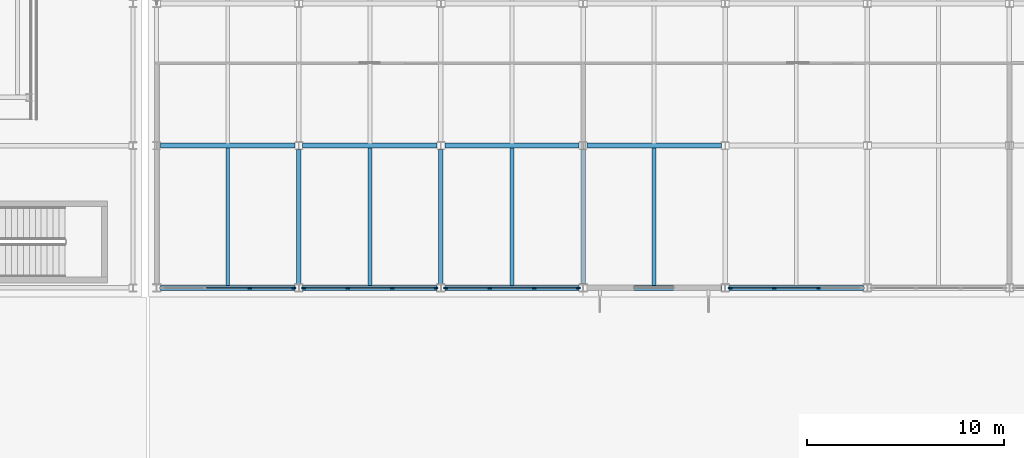
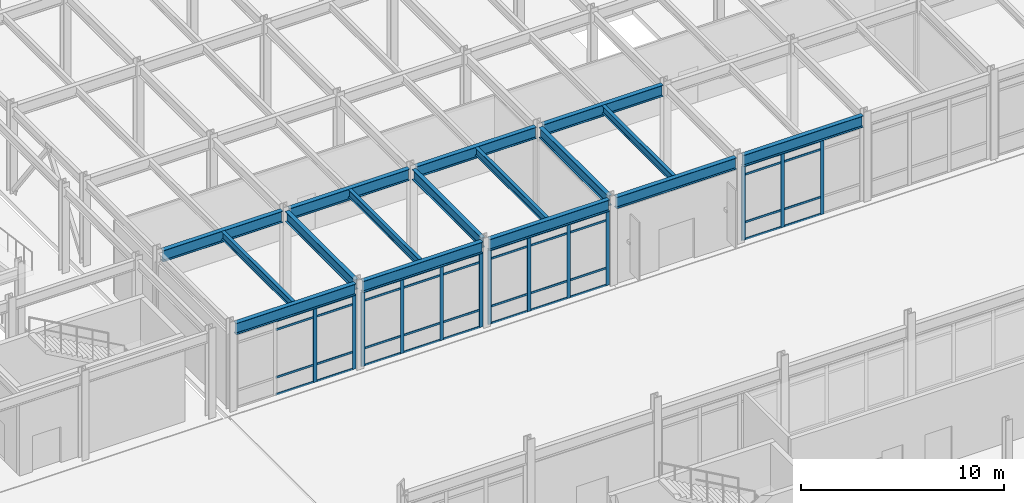
# One storey, part 29 of 104: 53 members, 16 beams, 4 elements without a shape of their own.
"""IFC4 building model written with IfcOpenShell, lengths in metres."""

from ifc_helpers import new_model, si_unit, direction, frame, origin, origin_2d, place, context, subcontext, project, spatial, rectangle, i_section, extrude, material, material_profile, profile_set, type_object, element, aggregate, save


model = new_model("IFC4")

# Units and contexts
model_context = context("Model", 3, precision=1e-05, world=origin(), true_north=direction((0.0, 1.0)))
body_context = subcontext(model_context, "Body", "Model", "MODEL_VIEW")
ifc_project = project(units=[si_unit("LENGTHUNIT", "METRE"), si_unit("AREAUNIT", "SQUARE_METRE"), si_unit("VOLUMEUNIT", "CUBIC_METRE"), si_unit("PLANEANGLEUNIT", "RADIAN"), si_unit("MASSUNIT", "GRAM", prefix="KILO")], contexts=[model_context])

# Site, building, storey
site_placement = place(None, origin())
site = spatial("IfcSite", under=ifc_project, at=site_placement, CompositionType="ELEMENT")
building_placement = place(site_placement, origin())
building = spatial("IfcBuilding", under=site, at=building_placement, Name="Vaelcorin Mobility Hub", CompositionType="ELEMENT")
storey_placement = place(building_placement, origin())
storey = spatial("IfcBuildingStorey", under=building, at=storey_placement, Name="L00", CompositionType="ELEMENT", Elevation=0.0)

# Beams
ifc_material_1 = material(Name="Steel ASTM A992 Grade 50", Category="steel")
ifc_material_profile_1 = material_profile(ifc_material_1, i_section(OverallWidth=0.19091796875, OverallDepth=0.4599609375, WebThickness=0.010009765625, FlangeThickness=0.01611328125, FilletRadius=0.012939453125, at=origin_2d()), Name="W18X55")
ifc_profile_set_1 = profile_set([ifc_material_profile_1], Name="Steel ASTM A992 Grade 50")
beam_type_1 = type_object("IfcBeamType", Name="BM-W18X55", PredefinedType="JOIST", material=ifc_profile_set_1)
for number, where, z_axis, x_axis, name in (
    (1, (39.60009765625, 76.925048828125, 4.929931640625), (0.0, 1.0, 0.0), (-1.0, 0.0, 0.0), "L00 Beam V4-L00-J-01-01-1"),
    (2, (46.800048828125, 76.925048828125, 4.929931640625), (0.0, 1.0, 0.0), (-1.0, 0.0, 0.0), "L00 Beam V4-L00-J-02-01-1"),
    (3, (54.0, 76.925048828125, 4.929931640625), (0.0, 1.0, 0.0), (-1.0, 0.0, 0.0), "L00 Beam V4-L00-J-03-01-1"),
    (4, (61.199951171875, 76.925048828125, 4.929931640625), (0.0, 1.0, 0.0), (-1.0, 0.0, 0.0), "L00 Beam V4-L00-J-04-01-1"),
):
    element("IfcBeam", number, at=place(storey_placement, frame(where, z_axis=z_axis, x_axis=x_axis)), inside=storey, type_object=beam_type_1, Name=name, PredefinedType="JOIST", context=body_context, shape_type="SweptSolid", body=[
        extrude(i_section(OverallWidth=0.19091796875, OverallDepth=0.4599609375, WebThickness=0.010009765625, FlangeThickness=0.01611328125, FilletRadius=0.012939453125, at=origin_2d()), origin(), (0.0, 0.0, 1.0), 6.949951171875),
    ])
ifc_material_profile_2 = material_profile(ifc_material_1, i_section(OverallWidth=0.22900390625, OverallDepth=0.612060546875, WebThickness=0.011962890625, FlangeThickness=0.01953125, FilletRadius=0.014892578125, at=origin_2d()), Name="W24X84")
ifc_profile_set_2 = profile_set([ifc_material_profile_2], Name="Steel ASTM A992 Grade 50")
beam_type_2 = type_object("IfcBeamType", Name="BM-W24X84", PredefinedType="BEAM", material=ifc_profile_set_2)
for number, where, z_axis, x_axis, name in (
    (5, (43.199951171875, 76.9951171875, 4.85400390625), (0.0, 1.0, 0.0), (-1.0, 0.0, 0.0), "L00 Beam V4-L00-GY-02-01"),
    (6, (50.39990234375, 76.9951171875, 4.85400390625), (0.0, 1.0, 0.0), (-1.0, 0.0, 0.0), "L00 Beam V4-L00-GY-03-01"),
    (7, (57.60009765625, 76.9951171875, 4.85400390625), (0.0, 1.0, 0.0), (-1.0, 0.0, 0.0), "L00 Beam V4-L00-GY-04-01"),
):
    element("IfcBeam", number, at=place(storey_placement, frame(where, z_axis=z_axis, x_axis=x_axis)), inside=storey, type_object=beam_type_2, Name=name, PredefinedType="BEAM", context=body_context, shape_type="SweptSolid", body=[
        extrude(i_section(OverallWidth=0.22900390625, OverallDepth=0.612060546875, WebThickness=0.011962890625, FlangeThickness=0.01953125, FilletRadius=0.014892578125, at=origin_2d()), origin(), (0.0, 0.0, 1.0), 6.803955078125),
    ])
ifc_material_profile_3 = material_profile(ifc_material_1, i_section(OverallWidth=0.25390625, OverallDepth=0.68310546875, WebThickness=0.012451171875, FlangeThickness=0.018798828125, FilletRadius=0.01611328125, at=origin_2d()), Name="W27X94")
ifc_profile_set_3 = profile_set([ifc_material_profile_3], Name="Steel ASTM A992 Grade 50")
beam_type_3 = type_object("IfcBeamType", Name="BM-W27X94", PredefinedType="BEAM", material=ifc_profile_set_3)
beam_1_placement = place(storey_placement, frame((36.197998046875, 76.800048828125, 4.818115234375), z_axis=(1.0, 0.0, 0.0), x_axis=(0.0, 1.0, 0.0)))
element("IfcBeam", 8, at=beam_1_placement, inside=storey, type_object=beam_type_3, Name="L00 Beam V4-L00-GX-01-01", PredefinedType="BEAM", context=body_context, shape_type="SweptSolid", body=[
    extrude(i_section(OverallWidth=0.25390625, OverallDepth=0.68310546875, WebThickness=0.012451171875, FlangeThickness=0.018798828125, FilletRadius=0.01611328125, at=origin_2d()), origin(), (0.0, 0.0, 1.0), 6.804931640625),
])
beam_2_placement = place(storey_placement, frame((43.39794921875, 76.800048828125, 4.818115234375), z_axis=(1.0, 0.0, 0.0), x_axis=(0.0, 1.0, 0.0)))
element("IfcBeam", 9, at=beam_2_placement, inside=storey, type_object=beam_type_3, Name="L00 Beam V4-L00-GX-01-02", PredefinedType="BEAM", context=body_context, shape_type="SweptSolid", body=[
    extrude(i_section(OverallWidth=0.25390625, OverallDepth=0.68310546875, WebThickness=0.012451171875, FlangeThickness=0.018798828125, FilletRadius=0.01611328125, at=origin_2d()), origin(), (0.0, 0.0, 1.0), 6.803955078125),
])
beam_3_placement = place(storey_placement, frame((50.597900390625, 76.800048828125, 4.818115234375), z_axis=(1.0, 0.0, 0.0), x_axis=(0.0, 1.0, 0.0)))
element("IfcBeam", 10, at=beam_3_placement, inside=storey, type_object=beam_type_3, Name="L00 Beam V4-L00-GX-01-03", PredefinedType="BEAM", context=body_context, shape_type="SweptSolid", body=[
    extrude(i_section(OverallWidth=0.25390625, OverallDepth=0.68310546875, WebThickness=0.012451171875, FlangeThickness=0.018798828125, FilletRadius=0.01611328125, at=origin_2d()), origin(), (0.0, 0.0, 1.0), 6.80419921875),
])
for number, where, z_axis, x_axis, name in (
    (11, (57.798095703125, 76.800048828125, 4.818115234375), (1.0, 0.0, 0.0), (0.0, 1.0, 0.0), "L00 Beam V4-L00-GX-01-04"),
    (12, (64.998046875, 76.800048828125, 4.818115234375), (1.0, 0.0, 0.0), (0.0, 1.0, 0.0), "L00 Beam V4-L00-GX-01-05"),
):
    element("IfcBeam", number, at=place(storey_placement, frame(where, z_axis=z_axis, x_axis=x_axis)), inside=storey, type_object=beam_type_3, Name=name, PredefinedType="BEAM", context=body_context, shape_type="SweptSolid", body=[
        extrude(i_section(OverallWidth=0.25390625, OverallDepth=0.68310546875, WebThickness=0.012451171875, FlangeThickness=0.018798828125, FilletRadius=0.01611328125, at=origin_2d()), origin(), (0.0, 0.0, 1.0), 6.803955078125),
    ])
for number, where, z_axis, x_axis, name in (
    (13, (36.199951171875, 84.0, 4.818115234375), (1.0, 0.0, 0.0), (0.0, 1.0, 0.0), "L00 Beam V4-L00-GX-02-01"),
    (14, (43.39990234375, 84.0, 4.818115234375), (1.0, 0.0, 0.0), (0.0, 1.0, 0.0), "L00 Beam V4-L00-GX-02-02"),
):
    element("IfcBeam", number, at=place(storey_placement, frame(where, z_axis=z_axis, x_axis=x_axis)), inside=storey, type_object=beam_type_3, Name=name, PredefinedType="BEAM", context=body_context, shape_type="SweptSolid", body=[
        extrude(i_section(OverallWidth=0.25390625, OverallDepth=0.68310546875, WebThickness=0.012451171875, FlangeThickness=0.018798828125, FilletRadius=0.01611328125, at=origin_2d()), origin(), (0.0, 0.0, 1.0), 6.800048828125),
    ])
beam_4_placement = place(storey_placement, frame((50.60009765625, 84.0, 4.818115234375), z_axis=(1.0, 0.0, 0.0), x_axis=(0.0, 1.0, 0.0)))
element("IfcBeam", 15, at=beam_4_placement, inside=storey, type_object=beam_type_3, Name="L00 Beam V4-L00-GX-02-03", PredefinedType="BEAM", context=body_context, shape_type="SweptSolid", body=[
    extrude(i_section(OverallWidth=0.25390625, OverallDepth=0.68310546875, WebThickness=0.012451171875, FlangeThickness=0.018798828125, FilletRadius=0.01611328125, at=origin_2d()), origin(), (0.0, 0.0, 1.0), 6.7998046875),
])
beam_5_placement = place(storey_placement, frame((57.800048828125, 84.0, 4.818115234375), z_axis=(1.0, 0.0, 0.0), x_axis=(0.0, 1.0, 0.0)))
element("IfcBeam", 16, at=beam_5_placement, inside=storey, type_object=beam_type_3, Name="L00 Beam V4-L00-GX-02-04", PredefinedType="BEAM", context=body_context, shape_type="SweptSolid", body=[
    extrude(i_section(OverallWidth=0.25390625, OverallDepth=0.68310546875, WebThickness=0.012451171875, FlangeThickness=0.018798828125, FilletRadius=0.01611328125, at=origin_2d()), origin(), (0.0, 0.0, 1.0), 6.800048828125),
])

# Curtain wall, members
ifc_material_2 = material(Name="Anodised aluminium 6063-T6", Category="aluminium")
curtain_wall_type = type_object("IfcCurtainWallType", Name="CW-MSC-A", PredefinedType="NOTDEFINED", material=ifc_material_2)
curtain_wall_1_placement = place(storey_placement, origin())
curtain_wall_1 = element("IfcCurtainWall", 17, at=curtain_wall_1_placement, inside=storey, type_object=curtain_wall_type, Name="L00 Curtain Wall CW-V4-L00-S-01", PredefinedType="NOTDEFINED")
ifc_material_profile_4 = material_profile(ifc_material_2, rectangle(XDim=0.070068359375, YDim=0.199951171875, at=origin_2d()), Name="ALU-M70X200")
ifc_profile_set_4 = profile_set([ifc_material_profile_4], Name="Anodised aluminium 6063-T6")
member_type_1 = type_object("IfcMemberType", Name="CW-MULL-200", PredefinedType="MULLION", material=ifc_profile_set_4)
member_1_placement = place(storey_placement, frame((42.949951171875, 76.800048828125, 0.0), z_axis=(0.0, 0.0, 1.0), x_axis=(0.0, -1.0, 0.0)))
member_1 = element("IfcMember", 18, at=member_1_placement, type_object=member_type_1, Name="CW3 mullion 1", PredefinedType="MULLION", context=body_context, shape_type="SweptSolid", body=[
    extrude(rectangle(XDim=0.070068359375, YDim=0.199951171875, at=origin_2d()), origin(), (0.0, 0.0, 1.0), 4.4619140625),
])
member_2_placement = place(storey_placement, frame((40.7265625, 76.800048828125, 0.0), z_axis=(0.0, 0.0, 1.0), x_axis=(0.0, -1.0, 0.0)))
member_2 = element("IfcMember", 19, at=member_2_placement, type_object=member_type_1, Name="CW3 mullion 2", PredefinedType="MULLION", context=body_context, shape_type="SweptSolid", body=[
    extrude(rectangle(XDim=0.070068359375, YDim=0.199951171875, at=origin_2d()), origin(), (0.0, 0.0, 1.0), 4.4619140625),
])

curtain_wall_2_placement = place(storey_placement, origin())
curtain_wall_2 = element("IfcCurtainWall", 20, at=curtain_wall_2_placement, inside=storey, type_object=curtain_wall_type, Name="L00 Curtain Wall CW-V4-L00-S-02", PredefinedType="NOTDEFINED")
member_3_placement = place(storey_placement, frame((50.14990234375, 76.800048828125, 0.0), z_axis=(0.0, 0.0, 1.0), x_axis=(0.0, -1.0, 0.0)))
member_3 = element("IfcMember", 21, at=member_3_placement, type_object=member_type_1, Name="CW3 mullion 1", PredefinedType="MULLION", context=body_context, shape_type="SweptSolid", body=[
    extrude(rectangle(XDim=0.070068359375, YDim=0.199951171875, at=origin_2d()), origin(), (0.0, 0.0, 1.0), 4.4619140625),
])
member_4_placement = place(storey_placement, frame((47.9267578125, 76.800048828125, 0.0), z_axis=(0.0, 0.0, 1.0), x_axis=(0.0, -1.0, 0.0)))
member_4 = element("IfcMember", 22, at=member_4_placement, type_object=member_type_1, Name="CW3 mullion 2", PredefinedType="MULLION", context=body_context, shape_type="SweptSolid", body=[
    extrude(rectangle(XDim=0.070068359375, YDim=0.199951171875, at=origin_2d()), origin(), (0.0, 0.0, 1.0), 4.4619140625),
])
member_5_placement = place(storey_placement, frame((45.67333984375, 76.800048828125, 0.0), z_axis=(0.0, 0.0, 1.0), x_axis=(0.0, -1.0, 0.0)))
member_5 = element("IfcMember", 23, at=member_5_placement, type_object=member_type_1, Name="CW3 mullion 3", PredefinedType="MULLION", context=body_context, shape_type="SweptSolid", body=[
    extrude(rectangle(XDim=0.070068359375, YDim=0.199951171875, at=origin_2d()), origin(), (0.0, 0.0, 1.0), 4.4619140625),
])
member_6_placement = place(storey_placement, frame((43.449951171875, 76.800048828125, 0.0), z_axis=(0.0, 0.0, 1.0), x_axis=(0.0, -1.0, 0.0)))
member_6 = element("IfcMember", 24, at=member_6_placement, type_object=member_type_1, Name="CW3 mullion 4", PredefinedType="MULLION", context=body_context, shape_type="SweptSolid", body=[
    extrude(rectangle(XDim=0.070068359375, YDim=0.199951171875, at=origin_2d()), origin(), (0.0, 0.0, 1.0), 4.4619140625),
])

curtain_wall_3_placement = place(storey_placement, origin())
curtain_wall_3 = element("IfcCurtainWall", 25, at=curtain_wall_3_placement, inside=storey, type_object=curtain_wall_type, Name="L00 Curtain Wall CW-V4-L00-S-03", PredefinedType="NOTDEFINED")
member_7_placement = place(storey_placement, frame((57.35009765625, 76.800048828125, 0.0), z_axis=(0.0, 0.0, 1.0), x_axis=(0.0, -1.0, 0.0)))
member_7 = element("IfcMember", 26, at=member_7_placement, type_object=member_type_1, Name="CW3 mullion 1", PredefinedType="MULLION", context=body_context, shape_type="SweptSolid", body=[
    extrude(rectangle(XDim=0.070068359375, YDim=0.199951171875, at=origin_2d()), origin(), (0.0, 0.0, 1.0), 4.4619140625),
])
member_8_placement = place(storey_placement, frame((55.126708984375, 76.800048828125, 0.0), z_axis=(0.0, 0.0, 1.0), x_axis=(0.0, -1.0, 0.0)))
member_8 = element("IfcMember", 27, at=member_8_placement, type_object=member_type_1, Name="CW3 mullion 2", PredefinedType="MULLION", context=body_context, shape_type="SweptSolid", body=[
    extrude(rectangle(XDim=0.070068359375, YDim=0.199951171875, at=origin_2d()), origin(), (0.0, 0.0, 1.0), 4.4619140625),
])
member_9_placement = place(storey_placement, frame((52.873291015625, 76.800048828125, 0.0), z_axis=(0.0, 0.0, 1.0), x_axis=(0.0, -1.0, 0.0)))
member_9 = element("IfcMember", 28, at=member_9_placement, type_object=member_type_1, Name="CW3 mullion 3", PredefinedType="MULLION", context=body_context, shape_type="SweptSolid", body=[
    extrude(rectangle(XDim=0.070068359375, YDim=0.199951171875, at=origin_2d()), origin(), (0.0, 0.0, 1.0), 4.4619140625),
])
member_10_placement = place(storey_placement, frame((50.64990234375, 76.800048828125, 0.0), z_axis=(0.0, 0.0, 1.0), x_axis=(0.0, -1.0, 0.0)))
member_10 = element("IfcMember", 29, at=member_10_placement, type_object=member_type_1, Name="CW3 mullion 4", PredefinedType="MULLION", context=body_context, shape_type="SweptSolid", body=[
    extrude(rectangle(XDim=0.070068359375, YDim=0.199951171875, at=origin_2d()), origin(), (0.0, 0.0, 1.0), 4.4619140625),
])

curtain_wall_4_placement = place(storey_placement, origin())
curtain_wall_4 = element("IfcCurtainWall", 30, at=curtain_wall_4_placement, inside=storey, type_object=curtain_wall_type, Name="L00 Curtain Wall CW-V4-L00-S-05", PredefinedType="NOTDEFINED")
member_11_placement = place(storey_placement, frame((69.526611328125, 76.800048828125, 0.0), z_axis=(0.0, 0.0, 1.0), x_axis=(0.0, -1.0, 0.0)))
member_11 = element("IfcMember", 31, at=member_11_placement, type_object=member_type_1, Name="CW3 mullion 2", PredefinedType="MULLION", context=body_context, shape_type="SweptSolid", body=[
    extrude(rectangle(XDim=0.070068359375, YDim=0.199951171875, at=origin_2d()), origin(), (0.0, 0.0, 1.0), 4.4619140625),
])
member_12_placement = place(storey_placement, frame((67.2734375, 76.800048828125, 0.0), z_axis=(0.0, 0.0, 1.0), x_axis=(0.0, -1.0, 0.0)))
member_12 = element("IfcMember", 32, at=member_12_placement, type_object=member_type_1, Name="CW3 mullion 3", PredefinedType="MULLION", context=body_context, shape_type="SweptSolid", body=[
    extrude(rectangle(XDim=0.070068359375, YDim=0.199951171875, at=origin_2d()), origin(), (0.0, 0.0, 1.0), 4.4619140625),
])
member_13_placement = place(storey_placement, frame((65.050048828125, 76.800048828125, 0.0), z_axis=(0.0, 0.0, 1.0), x_axis=(0.0, -1.0, 0.0)))
member_13 = element("IfcMember", 33, at=member_13_placement, type_object=member_type_1, Name="CW3 mullion 4", PredefinedType="MULLION", context=body_context, shape_type="SweptSolid", body=[
    extrude(rectangle(XDim=0.070068359375, YDim=0.199951171875, at=origin_2d()), origin(), (0.0, 0.0, 1.0), 4.4619140625),
])

# Member
ifc_material_profile_5 = material_profile(ifc_material_2, rectangle(XDim=0.06005859375, YDim=0.1201171875, at=origin_2d()), Name="ALU-T60X120")
ifc_profile_set_5 = profile_set([ifc_material_profile_5], Name="Anodised aluminium 6063-T6")
member_type_2 = type_object("IfcMemberType", Name="CW-TRAN-140", PredefinedType="USERDEFINED", material=ifc_profile_set_5)
member_14_placement = place(storey_placement, frame((42.919921875, 76.800048828125, 0.030029296875), z_axis=(-1.0, 0.0, 0.0), x_axis=(0.0, -1.0, 0.0)))
member_14 = element("IfcMember", 34, at=member_14_placement, type_object=member_type_2, Name="CW3 transom 1.1", ObjectType="TRANSOM", PredefinedType="USERDEFINED", context=body_context, shape_type="SweptSolid", body=[
    extrude(rectangle(XDim=0.06005859375, YDim=0.1201171875, at=origin_2d()), origin(), (0.0, 0.0, 1.0), 2.163330078125),
])

member_15_placement = place(storey_placement, frame((42.919921875, 76.800048828125, 1.050048828125), z_axis=(-1.0, 0.0, 0.0), x_axis=(0.0, -1.0, 0.0)))
member_15 = element("IfcMember", 35, at=member_15_placement, type_object=member_type_2, Name="CW3 transom 1.2", ObjectType="TRANSOM", PredefinedType="USERDEFINED", context=body_context, shape_type="SweptSolid", body=[
    extrude(rectangle(XDim=0.06005859375, YDim=0.1201171875, at=origin_2d()), origin(), (0.0, 0.0, 1.0), 2.163330078125),
])

member_16_placement = place(storey_placement, frame((42.919921875, 76.800048828125, 3.912109375), z_axis=(-1.0, 0.0, 0.0), x_axis=(0.0, -1.0, 0.0)))
member_16 = element("IfcMember", 36, at=member_16_placement, type_object=member_type_2, Name="CW3 transom 1.3", ObjectType="TRANSOM", PredefinedType="USERDEFINED", context=body_context, shape_type="SweptSolid", body=[
    extrude(rectangle(XDim=0.06005859375, YDim=0.1201171875, at=origin_2d()), origin(), (0.0, 0.0, 1.0), 2.163330078125),
])

member_17_placement = place(storey_placement, frame((42.919921875, 76.800048828125, 4.431884765625), z_axis=(-1.0, 0.0, 0.0), x_axis=(0.0, -1.0, 0.0)))
member_17 = element("IfcMember", 37, at=member_17_placement, type_object=member_type_2, Name="CW3 transom 1.4", ObjectType="TRANSOM", PredefinedType="USERDEFINED", context=body_context, shape_type="SweptSolid", body=[
    extrude(rectangle(XDim=0.06005859375, YDim=0.1201171875, at=origin_2d()), origin(), (0.0, 0.0, 1.0), 2.163330078125),
])

member_18_placement = place(storey_placement, frame((40.69677734375, 76.800048828125, 0.030029296875), z_axis=(-1.0, 0.0, 0.0), x_axis=(0.0, -1.0, 0.0)))
member_18 = element("IfcMember", 38, at=member_18_placement, type_object=member_type_2, Name="CW3 transom 2.1", ObjectType="TRANSOM", PredefinedType="USERDEFINED", context=body_context, shape_type="SweptSolid", body=[
    extrude(rectangle(XDim=0.06005859375, YDim=0.1201171875, at=origin_2d()), origin(), (0.0, 0.0, 1.0), 2.193359375),
])

member_19_placement = place(storey_placement, frame((40.69677734375, 76.800048828125, 1.050048828125), z_axis=(-1.0, 0.0, 0.0), x_axis=(0.0, -1.0, 0.0)))
member_19 = element("IfcMember", 39, at=member_19_placement, type_object=member_type_2, Name="CW3 transom 2.2", ObjectType="TRANSOM", PredefinedType="USERDEFINED", context=body_context, shape_type="SweptSolid", body=[
    extrude(rectangle(XDim=0.06005859375, YDim=0.1201171875, at=origin_2d()), origin(), (0.0, 0.0, 1.0), 2.193359375),
])

member_20_placement = place(storey_placement, frame((40.69677734375, 76.800048828125, 3.912109375), z_axis=(-1.0, 0.0, 0.0), x_axis=(0.0, -1.0, 0.0)))
member_20 = element("IfcMember", 40, at=member_20_placement, type_object=member_type_2, Name="CW3 transom 2.3", ObjectType="TRANSOM", PredefinedType="USERDEFINED", context=body_context, shape_type="SweptSolid", body=[
    extrude(rectangle(XDim=0.06005859375, YDim=0.1201171875, at=origin_2d()), origin(), (0.0, 0.0, 1.0), 2.193359375),
])

member_21_placement = place(storey_placement, frame((40.69677734375, 76.800048828125, 4.431884765625), z_axis=(-1.0, 0.0, 0.0), x_axis=(0.0, -1.0, 0.0)))
member_21 = element("IfcMember", 41, at=member_21_placement, type_object=member_type_2, Name="CW3 transom 2.4", ObjectType="TRANSOM", PredefinedType="USERDEFINED", context=body_context, shape_type="SweptSolid", body=[
    extrude(rectangle(XDim=0.06005859375, YDim=0.1201171875, at=origin_2d()), origin(), (0.0, 0.0, 1.0), 2.193359375),
])

aggregate(curtain_wall_1, [member_1, member_2, member_14, member_15, member_16, member_17, member_18, member_19, member_20, member_21])

member_22_placement = place(storey_placement, frame((50.1201171875, 76.800048828125, 0.030029296875), z_axis=(-1.0, 0.0, 0.0), x_axis=(0.0, -1.0, 0.0)))
member_22 = element("IfcMember", 42, at=member_22_placement, type_object=member_type_2, Name="CW3 transom 1.1", ObjectType="TRANSOM", PredefinedType="USERDEFINED", context=body_context, shape_type="SweptSolid", body=[
    extrude(rectangle(XDim=0.06005859375, YDim=0.1201171875, at=origin_2d()), origin(), (0.0, 0.0, 1.0), 2.163330078125),
])

member_23_placement = place(storey_placement, frame((50.1201171875, 76.800048828125, 1.050048828125), z_axis=(-1.0, 0.0, 0.0), x_axis=(0.0, -1.0, 0.0)))
member_23 = element("IfcMember", 43, at=member_23_placement, type_object=member_type_2, Name="CW3 transom 1.2", ObjectType="TRANSOM", PredefinedType="USERDEFINED", context=body_context, shape_type="SweptSolid", body=[
    extrude(rectangle(XDim=0.06005859375, YDim=0.1201171875, at=origin_2d()), origin(), (0.0, 0.0, 1.0), 2.163330078125),
])

member_24_placement = place(storey_placement, frame((50.1201171875, 76.800048828125, 3.912109375), z_axis=(-1.0, 0.0, 0.0), x_axis=(0.0, -1.0, 0.0)))
member_24 = element("IfcMember", 44, at=member_24_placement, type_object=member_type_2, Name="CW3 transom 1.3", ObjectType="TRANSOM", PredefinedType="USERDEFINED", context=body_context, shape_type="SweptSolid", body=[
    extrude(rectangle(XDim=0.06005859375, YDim=0.1201171875, at=origin_2d()), origin(), (0.0, 0.0, 1.0), 2.163330078125),
])

member_25_placement = place(storey_placement, frame((50.1201171875, 76.800048828125, 4.431884765625), z_axis=(-1.0, 0.0, 0.0), x_axis=(0.0, -1.0, 0.0)))
member_25 = element("IfcMember", 45, at=member_25_placement, type_object=member_type_2, Name="CW3 transom 1.4", ObjectType="TRANSOM", PredefinedType="USERDEFINED", context=body_context, shape_type="SweptSolid", body=[
    extrude(rectangle(XDim=0.06005859375, YDim=0.1201171875, at=origin_2d()), origin(), (0.0, 0.0, 1.0), 2.163330078125),
])

member_26_placement = place(storey_placement, frame((47.896728515625, 76.800048828125, 0.030029296875), z_axis=(-1.0, 0.0, 0.0), x_axis=(0.0, -1.0, 0.0)))
member_26 = element("IfcMember", 46, at=member_26_placement, type_object=member_type_2, Name="CW3 transom 2.1", ObjectType="TRANSOM", PredefinedType="USERDEFINED", context=body_context, shape_type="SweptSolid", body=[
    extrude(rectangle(XDim=0.06005859375, YDim=0.1201171875, at=origin_2d()), origin(), (0.0, 0.0, 1.0), 2.193359375),
])

member_27_placement = place(storey_placement, frame((47.896728515625, 76.800048828125, 1.050048828125), z_axis=(-1.0, 0.0, 0.0), x_axis=(0.0, -1.0, 0.0)))
member_27 = element("IfcMember", 47, at=member_27_placement, type_object=member_type_2, Name="CW3 transom 2.2", ObjectType="TRANSOM", PredefinedType="USERDEFINED", context=body_context, shape_type="SweptSolid", body=[
    extrude(rectangle(XDim=0.06005859375, YDim=0.1201171875, at=origin_2d()), origin(), (0.0, 0.0, 1.0), 2.193359375),
])

member_28_placement = place(storey_placement, frame((47.896728515625, 76.800048828125, 3.912109375), z_axis=(-1.0, 0.0, 0.0), x_axis=(0.0, -1.0, 0.0)))
member_28 = element("IfcMember", 48, at=member_28_placement, type_object=member_type_2, Name="CW3 transom 2.3", ObjectType="TRANSOM", PredefinedType="USERDEFINED", context=body_context, shape_type="SweptSolid", body=[
    extrude(rectangle(XDim=0.06005859375, YDim=0.1201171875, at=origin_2d()), origin(), (0.0, 0.0, 1.0), 2.193359375),
])

member_29_placement = place(storey_placement, frame((47.896728515625, 76.800048828125, 4.431884765625), z_axis=(-1.0, 0.0, 0.0), x_axis=(0.0, -1.0, 0.0)))
member_29 = element("IfcMember", 49, at=member_29_placement, type_object=member_type_2, Name="CW3 transom 2.4", ObjectType="TRANSOM", PredefinedType="USERDEFINED", context=body_context, shape_type="SweptSolid", body=[
    extrude(rectangle(XDim=0.06005859375, YDim=0.1201171875, at=origin_2d()), origin(), (0.0, 0.0, 1.0), 2.193359375),
])

member_30_placement = place(storey_placement, frame((45.643310546875, 76.800048828125, 0.030029296875), z_axis=(-1.0, 0.0, 0.0), x_axis=(0.0, -1.0, 0.0)))
member_30 = element("IfcMember", 50, at=member_30_placement, type_object=member_type_2, Name="CW3 transom 3.1", ObjectType="TRANSOM", PredefinedType="USERDEFINED", context=body_context, shape_type="SweptSolid", body=[
    extrude(rectangle(XDim=0.06005859375, YDim=0.1201171875, at=origin_2d()), origin(), (0.0, 0.0, 1.0), 2.163330078125),
])

member_31_placement = place(storey_placement, frame((45.643310546875, 76.800048828125, 1.050048828125), z_axis=(-1.0, 0.0, 0.0), x_axis=(0.0, -1.0, 0.0)))
member_31 = element("IfcMember", 51, at=member_31_placement, type_object=member_type_2, Name="CW3 transom 3.2", ObjectType="TRANSOM", PredefinedType="USERDEFINED", context=body_context, shape_type="SweptSolid", body=[
    extrude(rectangle(XDim=0.06005859375, YDim=0.1201171875, at=origin_2d()), origin(), (0.0, 0.0, 1.0), 2.163330078125),
])

member_32_placement = place(storey_placement, frame((45.643310546875, 76.800048828125, 3.912109375), z_axis=(-1.0, 0.0, 0.0), x_axis=(0.0, -1.0, 0.0)))
member_32 = element("IfcMember", 52, at=member_32_placement, type_object=member_type_2, Name="CW3 transom 3.3", ObjectType="TRANSOM", PredefinedType="USERDEFINED", context=body_context, shape_type="SweptSolid", body=[
    extrude(rectangle(XDim=0.06005859375, YDim=0.1201171875, at=origin_2d()), origin(), (0.0, 0.0, 1.0), 2.163330078125),
])

member_33_placement = place(storey_placement, frame((45.643310546875, 76.800048828125, 4.431884765625), z_axis=(-1.0, 0.0, 0.0), x_axis=(0.0, -1.0, 0.0)))
member_33 = element("IfcMember", 53, at=member_33_placement, type_object=member_type_2, Name="CW3 transom 3.4", ObjectType="TRANSOM", PredefinedType="USERDEFINED", context=body_context, shape_type="SweptSolid", body=[
    extrude(rectangle(XDim=0.06005859375, YDim=0.1201171875, at=origin_2d()), origin(), (0.0, 0.0, 1.0), 2.163330078125),
])

aggregate(curtain_wall_2, [member_3, member_4, member_5, member_6, member_22, member_23, member_24, member_25, member_26, member_27, member_28, member_29, member_30, member_31, member_32, member_33])

member_34_placement = place(storey_placement, frame((57.320068359375, 76.800048828125, 0.030029296875), z_axis=(-1.0, 0.0, 0.0), x_axis=(0.0, -1.0, 0.0)))
member_34 = element("IfcMember", 54, at=member_34_placement, type_object=member_type_2, Name="CW3 transom 1.1", ObjectType="TRANSOM", PredefinedType="USERDEFINED", context=body_context, shape_type="SweptSolid", body=[
    extrude(rectangle(XDim=0.06005859375, YDim=0.1201171875, at=origin_2d()), origin(), (0.0, 0.0, 1.0), 2.163330078125),
])

member_35_placement = place(storey_placement, frame((57.320068359375, 76.800048828125, 1.050048828125), z_axis=(-1.0, 0.0, 0.0), x_axis=(0.0, -1.0, 0.0)))
member_35 = element("IfcMember", 55, at=member_35_placement, type_object=member_type_2, Name="CW3 transom 1.2", ObjectType="TRANSOM", PredefinedType="USERDEFINED", context=body_context, shape_type="SweptSolid", body=[
    extrude(rectangle(XDim=0.06005859375, YDim=0.1201171875, at=origin_2d()), origin(), (0.0, 0.0, 1.0), 2.163330078125),
])

member_36_placement = place(storey_placement, frame((57.320068359375, 76.800048828125, 3.912109375), z_axis=(-1.0, 0.0, 0.0), x_axis=(0.0, -1.0, 0.0)))
member_36 = element("IfcMember", 56, at=member_36_placement, type_object=member_type_2, Name="CW3 transom 1.3", ObjectType="TRANSOM", PredefinedType="USERDEFINED", context=body_context, shape_type="SweptSolid", body=[
    extrude(rectangle(XDim=0.06005859375, YDim=0.1201171875, at=origin_2d()), origin(), (0.0, 0.0, 1.0), 2.163330078125),
])

member_37_placement = place(storey_placement, frame((57.320068359375, 76.800048828125, 4.431884765625), z_axis=(-1.0, 0.0, 0.0), x_axis=(0.0, -1.0, 0.0)))
member_37 = element("IfcMember", 57, at=member_37_placement, type_object=member_type_2, Name="CW3 transom 1.4", ObjectType="TRANSOM", PredefinedType="USERDEFINED", context=body_context, shape_type="SweptSolid", body=[
    extrude(rectangle(XDim=0.06005859375, YDim=0.1201171875, at=origin_2d()), origin(), (0.0, 0.0, 1.0), 2.163330078125),
])

member_38_placement = place(storey_placement, frame((55.0966796875, 76.800048828125, 0.030029296875), z_axis=(-1.0, 0.0, 0.0), x_axis=(0.0, -1.0, 0.0)))
member_38 = element("IfcMember", 58, at=member_38_placement, type_object=member_type_2, Name="CW3 transom 2.1", ObjectType="TRANSOM", PredefinedType="USERDEFINED", context=body_context, shape_type="SweptSolid", body=[
    extrude(rectangle(XDim=0.06005859375, YDim=0.1201171875, at=origin_2d()), origin(), (0.0, 0.0, 1.0), 2.193359375),
])

member_39_placement = place(storey_placement, frame((55.0966796875, 76.800048828125, 1.050048828125), z_axis=(-1.0, 0.0, 0.0), x_axis=(0.0, -1.0, 0.0)))
member_39 = element("IfcMember", 59, at=member_39_placement, type_object=member_type_2, Name="CW3 transom 2.2", ObjectType="TRANSOM", PredefinedType="USERDEFINED", context=body_context, shape_type="SweptSolid", body=[
    extrude(rectangle(XDim=0.06005859375, YDim=0.1201171875, at=origin_2d()), origin(), (0.0, 0.0, 1.0), 2.193359375),
])

member_40_placement = place(storey_placement, frame((55.0966796875, 76.800048828125, 3.912109375), z_axis=(-1.0, 0.0, 0.0), x_axis=(0.0, -1.0, 0.0)))
member_40 = element("IfcMember", 60, at=member_40_placement, type_object=member_type_2, Name="CW3 transom 2.3", ObjectType="TRANSOM", PredefinedType="USERDEFINED", context=body_context, shape_type="SweptSolid", body=[
    extrude(rectangle(XDim=0.06005859375, YDim=0.1201171875, at=origin_2d()), origin(), (0.0, 0.0, 1.0), 2.193359375),
])

member_41_placement = place(storey_placement, frame((55.0966796875, 76.800048828125, 4.431884765625), z_axis=(-1.0, 0.0, 0.0), x_axis=(0.0, -1.0, 0.0)))
member_41 = element("IfcMember", 61, at=member_41_placement, type_object=member_type_2, Name="CW3 transom 2.4", ObjectType="TRANSOM", PredefinedType="USERDEFINED", context=body_context, shape_type="SweptSolid", body=[
    extrude(rectangle(XDim=0.06005859375, YDim=0.1201171875, at=origin_2d()), origin(), (0.0, 0.0, 1.0), 2.193359375),
])

member_42_placement = place(storey_placement, frame((52.84326171875, 76.800048828125, 0.030029296875), z_axis=(-1.0, 0.0, 0.0), x_axis=(0.0, -1.0, 0.0)))
member_42 = element("IfcMember", 62, at=member_42_placement, type_object=member_type_2, Name="CW3 transom 3.1", ObjectType="TRANSOM", PredefinedType="USERDEFINED", context=body_context, shape_type="SweptSolid", body=[
    extrude(rectangle(XDim=0.06005859375, YDim=0.1201171875, at=origin_2d()), origin(), (0.0, 0.0, 1.0), 2.163330078125),
])

member_43_placement = place(storey_placement, frame((52.84326171875, 76.800048828125, 1.050048828125), z_axis=(-1.0, 0.0, 0.0), x_axis=(0.0, -1.0, 0.0)))
member_43 = element("IfcMember", 63, at=member_43_placement, type_object=member_type_2, Name="CW3 transom 3.2", ObjectType="TRANSOM", PredefinedType="USERDEFINED", context=body_context, shape_type="SweptSolid", body=[
    extrude(rectangle(XDim=0.06005859375, YDim=0.1201171875, at=origin_2d()), origin(), (0.0, 0.0, 1.0), 2.163330078125),
])

member_44_placement = place(storey_placement, frame((52.84326171875, 76.800048828125, 3.912109375), z_axis=(-1.0, 0.0, 0.0), x_axis=(0.0, -1.0, 0.0)))
member_44 = element("IfcMember", 64, at=member_44_placement, type_object=member_type_2, Name="CW3 transom 3.3", ObjectType="TRANSOM", PredefinedType="USERDEFINED", context=body_context, shape_type="SweptSolid", body=[
    extrude(rectangle(XDim=0.06005859375, YDim=0.1201171875, at=origin_2d()), origin(), (0.0, 0.0, 1.0), 2.163330078125),
])

member_45_placement = place(storey_placement, frame((52.84326171875, 76.800048828125, 4.431884765625), z_axis=(-1.0, 0.0, 0.0), x_axis=(0.0, -1.0, 0.0)))
member_45 = element("IfcMember", 65, at=member_45_placement, type_object=member_type_2, Name="CW3 transom 3.4", ObjectType="TRANSOM", PredefinedType="USERDEFINED", context=body_context, shape_type="SweptSolid", body=[
    extrude(rectangle(XDim=0.06005859375, YDim=0.1201171875, at=origin_2d()), origin(), (0.0, 0.0, 1.0), 2.163330078125),
])

aggregate(curtain_wall_3, [member_7, member_8, member_9, member_10, member_34, member_35, member_36, member_37, member_38, member_39, member_40, member_41, member_42, member_43, member_44, member_45])

member_46_placement = place(storey_placement, frame((69.49658203125, 76.800048828125, 0.030029296875), z_axis=(-1.0, 0.0, 0.0), x_axis=(0.0, -1.0, 0.0)))
member_46 = element("IfcMember", 66, at=member_46_placement, type_object=member_type_2, Name="CW3 transom 2.1", ObjectType="TRANSOM", PredefinedType="USERDEFINED", context=body_context, shape_type="SweptSolid", body=[
    extrude(rectangle(XDim=0.06005859375, YDim=0.1201171875, at=origin_2d()), origin(), (0.0, 0.0, 1.0), 2.193359375),
])

member_47_placement = place(storey_placement, frame((69.49658203125, 76.800048828125, 1.050048828125), z_axis=(-1.0, 0.0, 0.0), x_axis=(0.0, -1.0, 0.0)))
member_47 = element("IfcMember", 67, at=member_47_placement, type_object=member_type_2, Name="CW3 transom 2.2", ObjectType="TRANSOM", PredefinedType="USERDEFINED", context=body_context, shape_type="SweptSolid", body=[
    extrude(rectangle(XDim=0.06005859375, YDim=0.1201171875, at=origin_2d()), origin(), (0.0, 0.0, 1.0), 2.193359375),
])

member_48_placement = place(storey_placement, frame((69.49658203125, 76.800048828125, 3.912109375), z_axis=(-1.0, 0.0, 0.0), x_axis=(0.0, -1.0, 0.0)))
member_48 = element("IfcMember", 68, at=member_48_placement, type_object=member_type_2, Name="CW3 transom 2.3", ObjectType="TRANSOM", PredefinedType="USERDEFINED", context=body_context, shape_type="SweptSolid", body=[
    extrude(rectangle(XDim=0.06005859375, YDim=0.1201171875, at=origin_2d()), origin(), (0.0, 0.0, 1.0), 2.193359375),
])

member_49_placement = place(storey_placement, frame((69.49658203125, 76.800048828125, 4.431884765625), z_axis=(-1.0, 0.0, 0.0), x_axis=(0.0, -1.0, 0.0)))
member_49 = element("IfcMember", 69, at=member_49_placement, type_object=member_type_2, Name="CW3 transom 2.4", ObjectType="TRANSOM", PredefinedType="USERDEFINED", context=body_context, shape_type="SweptSolid", body=[
    extrude(rectangle(XDim=0.06005859375, YDim=0.1201171875, at=origin_2d()), origin(), (0.0, 0.0, 1.0), 2.193359375),
])

member_50_placement = place(storey_placement, frame((67.243408203125, 76.800048828125, 0.030029296875), z_axis=(-1.0, 0.0, 0.0), x_axis=(0.0, -1.0, 0.0)))
member_50 = element("IfcMember", 70, at=member_50_placement, type_object=member_type_2, Name="CW3 transom 3.1", ObjectType="TRANSOM", PredefinedType="USERDEFINED", context=body_context, shape_type="SweptSolid", body=[
    extrude(rectangle(XDim=0.06005859375, YDim=0.1201171875, at=origin_2d()), origin(), (0.0, 0.0, 1.0), 2.163330078125),
])

member_51_placement = place(storey_placement, frame((67.243408203125, 76.800048828125, 1.050048828125), z_axis=(-1.0, 0.0, 0.0), x_axis=(0.0, -1.0, 0.0)))
member_51 = element("IfcMember", 71, at=member_51_placement, type_object=member_type_2, Name="CW3 transom 3.2", ObjectType="TRANSOM", PredefinedType="USERDEFINED", context=body_context, shape_type="SweptSolid", body=[
    extrude(rectangle(XDim=0.06005859375, YDim=0.1201171875, at=origin_2d()), origin(), (0.0, 0.0, 1.0), 2.163330078125),
])

member_52_placement = place(storey_placement, frame((67.243408203125, 76.800048828125, 3.912109375), z_axis=(-1.0, 0.0, 0.0), x_axis=(0.0, -1.0, 0.0)))
member_52 = element("IfcMember", 72, at=member_52_placement, type_object=member_type_2, Name="CW3 transom 3.3", ObjectType="TRANSOM", PredefinedType="USERDEFINED", context=body_context, shape_type="SweptSolid", body=[
    extrude(rectangle(XDim=0.06005859375, YDim=0.1201171875, at=origin_2d()), origin(), (0.0, 0.0, 1.0), 2.163330078125),
])

member_53_placement = place(storey_placement, frame((67.243408203125, 76.800048828125, 4.431884765625), z_axis=(-1.0, 0.0, 0.0), x_axis=(0.0, -1.0, 0.0)))
member_53 = element("IfcMember", 73, at=member_53_placement, type_object=member_type_2, Name="CW3 transom 3.4", ObjectType="TRANSOM", PredefinedType="USERDEFINED", context=body_context, shape_type="SweptSolid", body=[
    extrude(rectangle(XDim=0.06005859375, YDim=0.1201171875, at=origin_2d()), origin(), (0.0, 0.0, 1.0), 2.163330078125),
])

aggregate(curtain_wall_4, [member_11, member_12, member_13, member_46, member_47, member_48, member_49, member_50, member_51, member_52, member_53])

save(model, "model.ifc")
